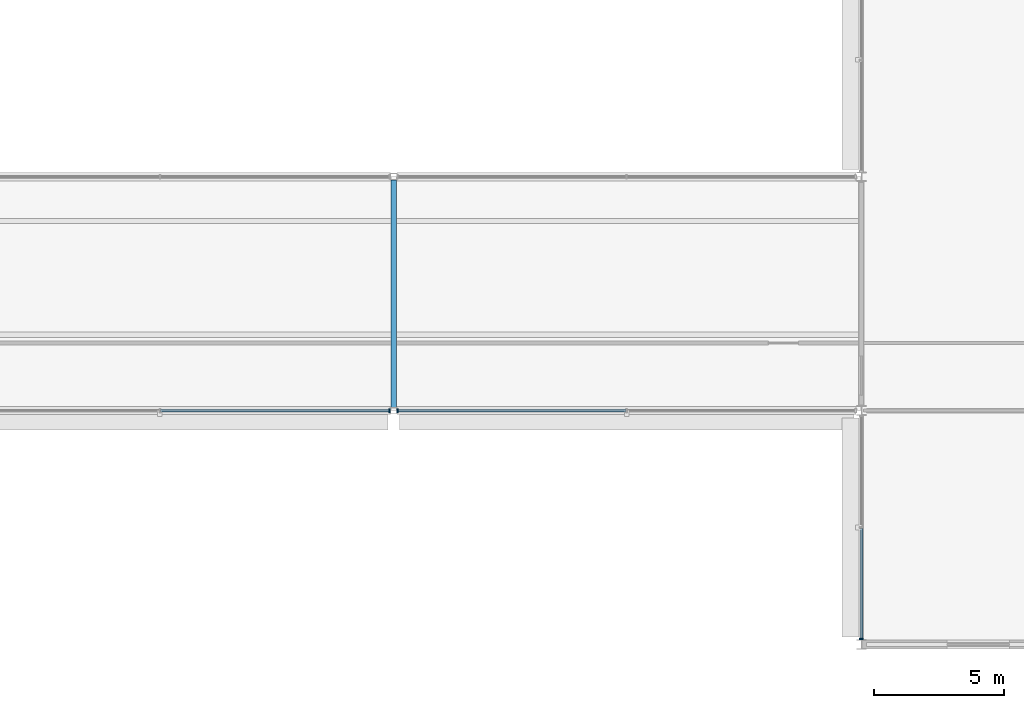
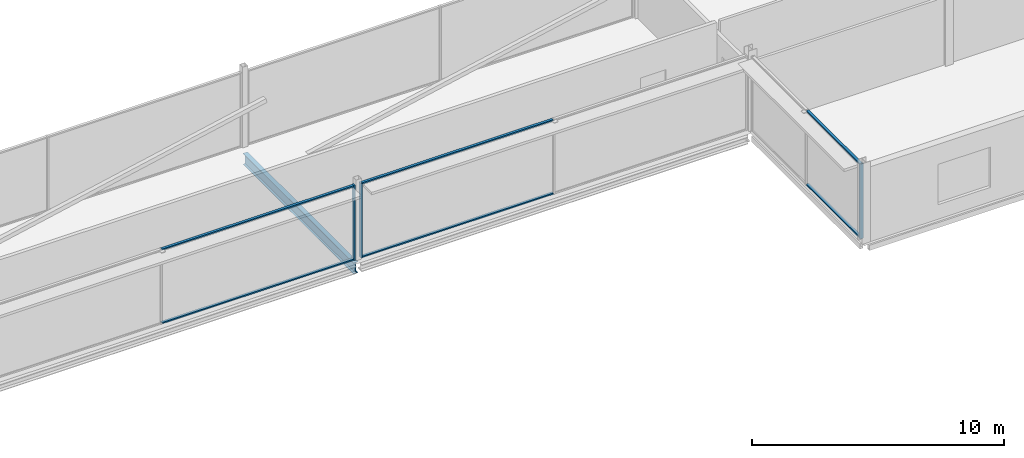
# One storey, part 39 of 98: 9 members, 1 beam, 3 elements without a shape of their own.
"""IFC4 building model written with IfcOpenShell, lengths in metres."""

from ifc_helpers import new_model, si_unit, direction, frame, origin, origin_2d, place, context, subcontext, project, spatial, rectangle, i_section, extrude, material, layer, layer_set, material_profile, profile_set, type_object, element, aggregate, save


model = new_model("IFC4")

# Units and contexts
model_context = context("Model", 3, precision=1e-05, world=origin(), true_north=direction((0.0, 1.0)))
body_context = subcontext(model_context, "Body", "Model", "MODEL_VIEW")
ifc_project = project(units=[si_unit("LENGTHUNIT", "METRE"), si_unit("AREAUNIT", "SQUARE_METRE"), si_unit("VOLUMEUNIT", "CUBIC_METRE"), si_unit("PLANEANGLEUNIT", "RADIAN"), si_unit("MASSUNIT", "GRAM", prefix="KILO")], contexts=[model_context])

# Site, building, storey
site_placement = place(None, origin())
site = spatial("IfcSite", under=ifc_project, at=site_placement, CompositionType="ELEMENT")
building_placement = place(site_placement, origin())
building = spatial("IfcBuilding", under=site, at=building_placement, Name="Kisiwana Market Hall", CompositionType="ELEMENT")
storey_placement = place(building_placement, frame((0.0, 0.0, 29.39990234375)))
storey = spatial("IfcBuildingStorey", under=building, at=storey_placement, Name="L06", CompositionType="ELEMENT", Elevation=29.39990234375)

# Beam
ifc_material_1 = material(Name="Steel S355", Category="steel")
ifc_material_profile_1 = material_profile(ifc_material_1, i_section(OverallWidth=0.209228515625, OverallDepth=0.533203125, WebThickness=0.010009765625, FlangeThickness=0.015625, at=origin_2d()), Name="UB 533x210x92")
ifc_profile_set_1 = profile_set([ifc_material_profile_1], Name="Steel S355")
beam_type = type_object("IfcBeamType", Name="BM-GIRD-UB533", PredefinedType="BEAM", material=ifc_profile_set_1)
beam_placement = place(storey_placement, frame((135.0, 18.12109375, -0.531494140625), z_axis=(0.0, 1.0, 0.0), x_axis=(-1.0, 0.0, 0.0)))
element("IfcBeam", 1, at=beam_placement, inside=storey, type_object=beam_type, Name="Primary girder B-1727", PredefinedType="BEAM", context=body_context, shape_type="SweptSolid", body=[
    extrude(i_section(OverallWidth=0.209228515625, OverallDepth=0.533203125, WebThickness=0.010009765625, FlangeThickness=0.015625, at=origin_2d()), origin(), (0.0, 0.0, 1.0), 8.7578125),
])

# Curtain wall, member
ifc_material_2 = material(Name="Double-glazed solar-control low-E IGU", Category="glass")
ifc_layer = layer(ifc_material_2, 0.159912109375)
ifc_layer_set = layer_set([ifc_layer], Name="CW-ZNA-EW-8200")
curtain_wall_type = type_object("IfcCurtainWallType", Name="CW-ZNA-EW-8200", PredefinedType="USERDEFINED", material=ifc_layer_set)
curtain_wall_1_placement = place(storey_placement, origin())
curtain_wall_1 = element("IfcCurtainWall", 2, at=curtain_wall_1_placement, inside=storey, type_object=curtain_wall_type, Name="Unitised curtain wall CW-176 (L06)", ObjectType="UNITISED CURTAIN WALL", PredefinedType="USERDEFINED")
ifc_material_3 = material(Name="Aluminium alloy 6063-T6", Category="aluminium")
ifc_material_profile_2 = material_profile(ifc_material_3, rectangle(XDim=0.06005859375, YDim=0.159912109375, at=origin_2d()), Name="ALU MULLION 60x160")
ifc_profile_set_2 = profile_set([ifc_material_profile_2], Name="Aluminium alloy 6063-T6")
member_type_1 = type_object("IfcMemberType", Name="CW-MULL-60x160", PredefinedType="MULLION", material=ifc_profile_set_2)
member_1_placement = place(storey_placement, frame((134.844970703125, 18.0, 0.0), z_axis=(0.0, 0.0, 1.0), x_axis=(1.0, 0.0, 0.0)))
member_1 = element("IfcMember", 3, at=member_1_placement, type_object=member_type_1, Name="CW-176 mullion 3", PredefinedType="MULLION", context=body_context, shape_type="SweptSolid", body=[
    extrude(rectangle(XDim=0.06005859375, YDim=0.159912109375, at=origin_2d()), origin(), (0.0, 0.0, 1.0), 3.6201171875),
])

curtain_wall_2_placement = place(storey_placement, origin())
curtain_wall_2 = element("IfcCurtainWall", 4, at=curtain_wall_2_placement, inside=storey, type_object=curtain_wall_type, Name="Unitised curtain wall CW-177 (L06)", ObjectType="UNITISED CURTAIN WALL", PredefinedType="USERDEFINED")
member_2_placement = place(storey_placement, frame((135.155029296875, 18.0, 0.0), z_axis=(0.0, 0.0, 1.0), x_axis=(1.0, 0.0, 0.0)))
member_2 = element("IfcMember", 5, at=member_2_placement, type_object=member_type_1, Name="CW-177 mullion 1", PredefinedType="MULLION", context=body_context, shape_type="SweptSolid", body=[
    extrude(rectangle(XDim=0.06005859375, YDim=0.159912109375, at=origin_2d()), origin(), (0.0, 0.0, 1.0), 3.6201171875),
])

curtain_wall_3_placement = place(storey_placement, origin())
curtain_wall_3 = element("IfcCurtainWall", 6, at=curtain_wall_3_placement, inside=storey, type_object=curtain_wall_type, Name="Unitised curtain wall CW-204 (L06)", ObjectType="UNITISED CURTAIN WALL", PredefinedType="USERDEFINED")
member_3_placement = place(storey_placement, frame((153.0, 9.2109375, 0.0), z_axis=(0.0, 0.0, 1.0), x_axis=(0.0, 1.0, 0.0)))
member_3 = element("IfcMember", 7, at=member_3_placement, type_object=member_type_1, Name="CW-204 mullion 1", PredefinedType="MULLION", context=body_context, shape_type="SweptSolid", body=[
    extrude(rectangle(XDim=0.06005859375, YDim=0.159912109375, at=origin_2d()), origin(), (0.0, 0.0, 1.0), 3.6201171875),
])

# Member
ifc_material_4 = material(Name="Aluminium alloy 6063-T6", Category="aluminium")
ifc_material_profile_3 = material_profile(ifc_material_4, rectangle(XDim=0.1201171875, YDim=0.06005859375, at=origin_2d()), Name="ALU TRANSOM 60x120")
ifc_profile_set_3 = profile_set([ifc_material_profile_3], Name="Aluminium alloy 6063-T6")
member_type_2 = type_object("IfcMemberType", Name="CW-TRAN-60x120", PredefinedType="USERDEFINED", material=ifc_profile_set_3)
member_4_placement = place(storey_placement, frame((126.030029296875, 18.0, 0.030029296875), z_axis=(1.0, 0.0, 0.0), x_axis=(0.0, 1.0, 0.0)))
member_4 = element("IfcMember", 8, at=member_4_placement, type_object=member_type_2, Name="CW-176 transom 2.1", ObjectType="TRANSOM", PredefinedType="USERDEFINED", context=body_context, shape_type="SweptSolid", body=[
    extrude(rectangle(XDim=0.1201171875, YDim=0.06005859375, at=origin_2d()), origin(), (0.0, 0.0, 1.0), 8.784912109375),
])

member_5_placement = place(storey_placement, frame((126.030029296875, 18.0, 3.590087890625), z_axis=(1.0, 0.0, 0.0), x_axis=(0.0, 1.0, 0.0)))
member_5 = element("IfcMember", 9, at=member_5_placement, type_object=member_type_2, Name="CW-176 transom 2.2", ObjectType="TRANSOM", PredefinedType="USERDEFINED", context=body_context, shape_type="SweptSolid", body=[
    extrude(rectangle(XDim=0.1201171875, YDim=0.06005859375, at=origin_2d()), origin(), (0.0, 0.0, 1.0), 8.784912109375),
])

aggregate(curtain_wall_1, [member_1, member_4, member_5])

member_6_placement = place(storey_placement, frame((135.18505859375, 18.0, 0.030029296875), z_axis=(1.0, 0.0, 0.0), x_axis=(0.0, 1.0, 0.0)))
member_6 = element("IfcMember", 10, at=member_6_placement, type_object=member_type_2, Name="CW-177 transom 1.1", ObjectType="TRANSOM", PredefinedType="USERDEFINED", context=body_context, shape_type="SweptSolid", body=[
    extrude(rectangle(XDim=0.1201171875, YDim=0.06005859375, at=origin_2d()), origin(), (0.0, 0.0, 1.0), 8.7548828125),
])

member_7_placement = place(storey_placement, frame((135.18505859375, 18.0, 3.590087890625), z_axis=(1.0, 0.0, 0.0), x_axis=(0.0, 1.0, 0.0)))
member_7 = element("IfcMember", 11, at=member_7_placement, type_object=member_type_2, Name="CW-177 transom 1.2", ObjectType="TRANSOM", PredefinedType="USERDEFINED", context=body_context, shape_type="SweptSolid", body=[
    extrude(rectangle(XDim=0.1201171875, YDim=0.06005859375, at=origin_2d()), origin(), (0.0, 0.0, 1.0), 8.7548828125),
])

aggregate(curtain_wall_2, [member_2, member_6, member_7])

member_8_placement = place(storey_placement, frame((153.0, 9.240966796875, 0.030029296875), z_axis=(0.0, 1.0, 0.0), x_axis=(-1.0, 0.0, 0.0)))
member_8 = element("IfcMember", 12, at=member_8_placement, type_object=member_type_2, Name="CW-204 transom 1.1", ObjectType="TRANSOM", PredefinedType="USERDEFINED", context=body_context, shape_type="SweptSolid", body=[
    extrude(rectangle(XDim=0.1201171875, YDim=0.06005859375, at=origin_2d()), origin(), (0.0, 0.0, 1.0), 4.22900390625),
])

member_9_placement = place(storey_placement, frame((153.0, 9.240966796875, 3.590087890625), z_axis=(0.0, 1.0, 0.0), x_axis=(-1.0, 0.0, 0.0)))
member_9 = element("IfcMember", 13, at=member_9_placement, type_object=member_type_2, Name="CW-204 transom 1.2", ObjectType="TRANSOM", PredefinedType="USERDEFINED", context=body_context, shape_type="SweptSolid", body=[
    extrude(rectangle(XDim=0.1201171875, YDim=0.06005859375, at=origin_2d()), origin(), (0.0, 0.0, 1.0), 4.22900390625),
])

aggregate(curtain_wall_3, [member_3, member_8, member_9])

save(model, "model.ifc")
